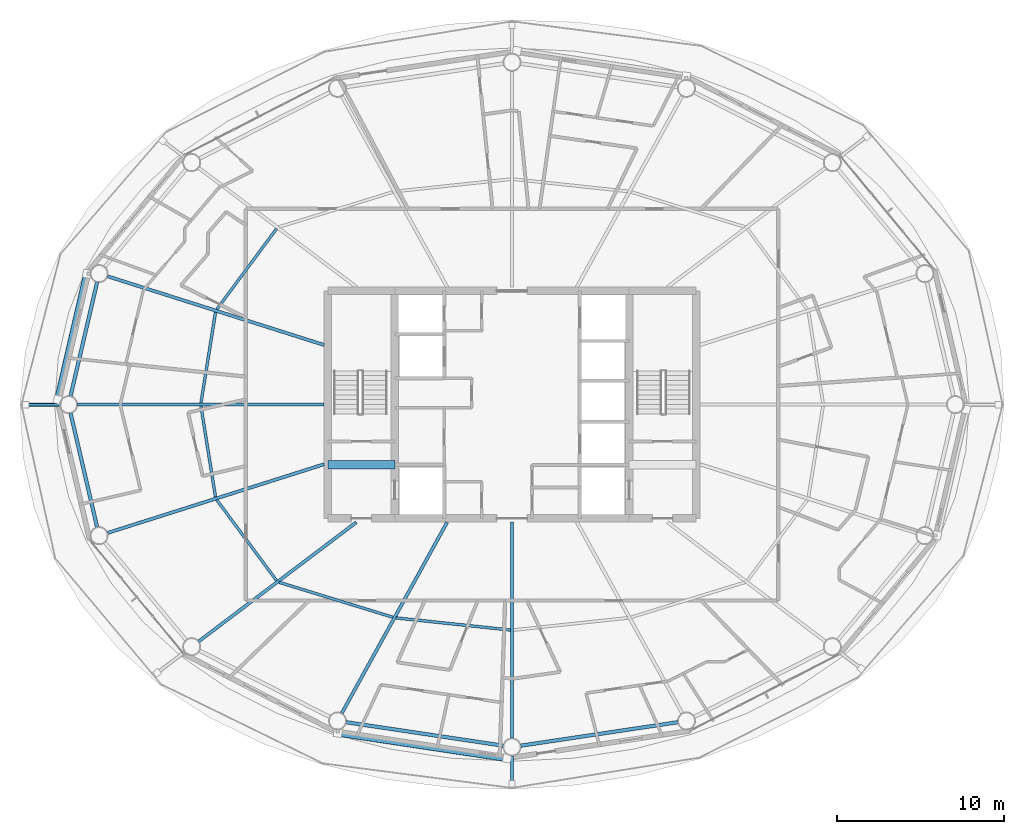
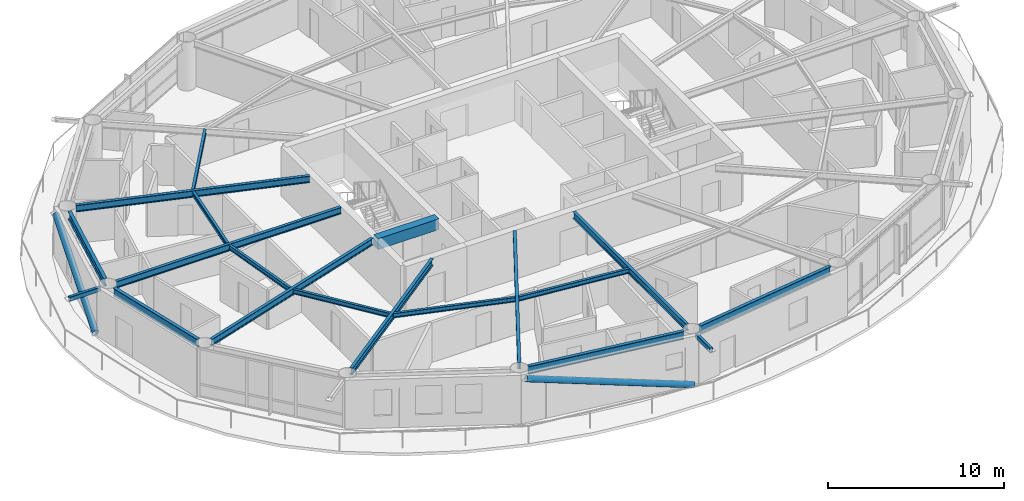
# One storey, part 4 of 27: 17 beams, 4 members.
"""IFC4 building model written with IfcOpenShell, lengths in metres."""

from ifc_helpers import new_model, si_unit, direction, frame, origin, origin_2d, place, context, subcontext, project, spatial, rectangle, hollow_rectangle, hollow_circle, i_section, extrude, material, material_profile, profile_set, type_object, element, save


model = new_model("IFC4")

# Units and contexts
model_context = context("Model", 3, precision=1e-05, world=origin(), true_north=direction((0.0, 1.0)))
body_context = subcontext(model_context, "Body", "Model", "MODEL_VIEW")
ifc_project = project(units=[si_unit("LENGTHUNIT", "METRE"), si_unit("AREAUNIT", "SQUARE_METRE"), si_unit("VOLUMEUNIT", "CUBIC_METRE"), si_unit("PLANEANGLEUNIT", "RADIAN"), si_unit("MASSUNIT", "GRAM", prefix="KILO")], contexts=[model_context])

# Site, building, storey
site_placement = place(None, origin())
site = spatial("IfcSite", under=ifc_project, at=site_placement, CompositionType="ELEMENT")
building_placement = place(site_placement, origin())
building = spatial("IfcBuilding", under=site, at=building_placement, Name="Sarneth Arch Tower", CompositionType="ELEMENT")
storey_placement = place(building_placement, frame((0.0, 0.0, 157.800048828125)))
storey = spatial("IfcBuildingStorey", under=building, at=storey_placement, Name="L39", CompositionType="ELEMENT", Elevation=157.800048828125)

# Beams
ifc_material_1 = material(Name="Steel S355", Category="steel")
ifc_material_profile_1 = material_profile(ifc_material_1, i_section(OverallWidth=0.1669921875, OverallDepth=0.31689453125, WebThickness=0.007568359375, FlangeThickness=0.01318359375, FilletRadius=0.012939453125, at=origin_2d()), Name="W310x52")
ifc_profile_set_1 = profile_set([ifc_material_profile_1], Name="Steel S355")
beam_type_1 = type_object("IfcBeamType", Name="BM-JOIST-310B", PredefinedType="JOIST", material=ifc_profile_set_1)
beam_1_placement = place(storey_placement, frame((33.937255859375, 52.5068359375, 3.221435546875), z_axis=(-0.595933334016, -0.803033910497, 0.0), x_axis=(0.803033910497, -0.595933334016, 0.0)))
element("IfcBeam", 1, at=beam_1_placement, inside=storey, type_object=beam_type_1, Name="L39 Secondary floor joist 07", PredefinedType="JOIST", context=body_context, shape_type="SweptSolid", body=[
    extrude(i_section(OverallWidth=0.1669921875, OverallDepth=0.31689453125, WebThickness=0.007568359375, FlangeThickness=0.01318359375, FilletRadius=0.012939453125, at=origin_2d()), origin(), (0.0, 0.0, 1.0), 5.99560546875),
])
for number, where, z_axis, x_axis, name in (
    (2, (30.291259765625, 47.519287109375, 3.221435546875), (-0.158262632389, -0.987397052451, 0.0), (0.987397052451, -0.158262632389, 0.0), "L39 Secondary floor joist 08"),
    (3, (29.421875, 41.90478515625, 3.221435546875), (0.158262632389, -0.987397052451, 0.0), (0.987397052451, 0.158262632389, 0.0), "L39 Secondary floor joist 09"),
):
    element("IfcBeam", number, at=place(storey_placement, frame(where, z_axis=z_axis, x_axis=x_axis)), inside=storey, type_object=beam_type_1, Name=name, PredefinedType="JOIST", context=body_context, shape_type="SweptSolid", body=[
        extrude(i_section(OverallWidth=0.1669921875, OverallDepth=0.31689453125, WebThickness=0.007568359375, FlangeThickness=0.01318359375, FilletRadius=0.012939453125, at=origin_2d()), origin(), (0.0, 0.0, 1.0), 5.493408203125),
    ])
beam_2_placement = place(storey_placement, frame((30.3642578125, 36.307861328125, 3.221435546875), z_axis=(0.595933334016, -0.803033910497, 0.0), x_axis=(0.803033910497, 0.595933334016, 0.0)))
element("IfcBeam", 4, at=beam_2_placement, inside=storey, type_object=beam_type_1, Name="L39 Secondary floor joist 10", PredefinedType="JOIST", context=body_context, shape_type="SweptSolid", body=[
    extrude(i_section(OverallWidth=0.1669921875, OverallDepth=0.31689453125, WebThickness=0.007568359375, FlangeThickness=0.01318359375, FilletRadius=0.012939453125, at=origin_2d()), origin(), (0.0, 0.0, 1.0), 5.99560546875),
])
beam_3_placement = place(storey_placement, frame((34.087158203125, 31.38720703125, 3.221435546875), z_axis=(0.955929549608, -0.293596144707, 0.0), x_axis=(0.293596144707, 0.955929549608, 0.0)))
element("IfcBeam", 5, at=beam_3_placement, inside=storey, type_object=beam_type_1, Name="L39 Secondary floor joist 11", PredefinedType="JOIST", context=body_context, shape_type="SweptSolid", body=[
    extrude(i_section(OverallWidth=0.1669921875, OverallDepth=0.31689453125, WebThickness=0.007568359375, FlangeThickness=0.01318359375, FilletRadius=0.012939453125, at=origin_2d()), origin(), (0.0, 0.0, 1.0), 7.1123046875),
])
beam_4_placement = place(storey_placement, frame((41.07421875, 29.260498046875, 3.221435546875), z_axis=(0.994407831942, -0.105608066799, 0.0), x_axis=(0.105608066799, 0.994407831942, 0.0)))
element("IfcBeam", 6, at=beam_4_placement, inside=storey, type_object=beam_type_1, Name="L39 Secondary floor joist 12", PredefinedType="JOIST", context=body_context, shape_type="SweptSolid", body=[
    extrude(i_section(OverallWidth=0.1669921875, OverallDepth=0.31689453125, WebThickness=0.007568359375, FlangeThickness=0.01318359375, FilletRadius=0.012939453125, at=origin_2d()), origin(), (0.0, 0.0, 1.0), 6.8681640625),
])
ifc_material_2 = material(Name="Concrete C50/60", Category="concrete")
ifc_material_profile_2 = material_profile(ifc_material_2, rectangle(XDim=0.5, YDim=0.75, at=origin_2d()), Name="RC-500x750")
ifc_profile_set_2 = profile_set([ifc_material_profile_2], Name="Concrete C50/60")
beam_type_2 = type_object("IfcBeamType", Name="BM-LINTEL-RC", PredefinedType="LINTEL", material=ifc_profile_set_2)
beam_5_placement = place(storey_placement, frame((37.0, 38.39990234375, 3.0048828125), z_axis=(1.0, 0.0, 0.0), x_axis=(0.0, 1.0, 0.0)))
element("IfcBeam", 7, at=beam_5_placement, inside=storey, type_object=beam_type_2, Name="L39 Core coupling lintel W", PredefinedType="LINTEL", context=body_context, shape_type="SweptSolid", body=[
    extrude(rectangle(XDim=0.5, YDim=0.75, at=origin_2d()), origin(), (0.0, 0.0, 1.0), 4.0),
])
ifc_material_3 = material(Name="Steel S355", Category="steel")
ifc_material_profile_3 = material_profile(ifc_material_3, i_section(OverallWidth=0.193115234375, OverallDepth=0.466064453125, WebThickness=0.011474609375, FlangeThickness=0.01904296875, FilletRadius=0.01806640625, at=origin_2d()), Name="W460x97")
ifc_profile_set_3 = profile_set([ifc_material_profile_3], Name="Steel S355")
beam_type_3 = type_object("IfcBeamType", Name="BM-RAD-460C", PredefinedType="BEAM", material=ifc_profile_set_3)
beam_6_placement = place(storey_placement, frame((36.77490234375, 45.56201171875, 3.14697265625), z_axis=(-0.953163620049, 0.302455142815, 0.0), x_axis=(-0.302455142815, -0.953163620049, 0.0)))
element("IfcBeam", 8, at=beam_6_placement, inside=storey, type_object=beam_type_3, Name="L39 Radial floor girder 08", PredefinedType="BEAM", context=body_context, shape_type="SweptSolid", body=[
    extrude(i_section(OverallWidth=0.193115234375, OverallDepth=0.466064453125, WebThickness=0.011474609375, FlangeThickness=0.01904296875, FilletRadius=0.01806640625, at=origin_2d()), origin(), (0.0, 0.0, 1.0), 13.572265625),
])
beam_7_placement = place(storey_placement, frame((36.77490234375, 42.0, 3.14697265625), z_axis=(-1.0, 0.0, 0.0), x_axis=(0.0, -1.0, 0.0)))
element("IfcBeam", 9, at=beam_7_placement, inside=storey, type_object=beam_type_3, Name="L39 Radial floor girder 09", PredefinedType="BEAM", context=body_context, shape_type="SweptSolid", body=[
    extrude(i_section(OverallWidth=0.193115234375, OverallDepth=0.466064453125, WebThickness=0.011474609375, FlangeThickness=0.01904296875, FilletRadius=0.01806640625, at=origin_2d()), origin(), (0.0, 0.0, 1.0), 14.73681640625),
])
beam_8_placement = place(storey_placement, frame((36.77490234375, 38.43798828125, 3.14697265625), z_axis=(-0.953163620049, -0.302455142815, 0.0), x_axis=(0.302455142815, -0.953163620049, 0.0)))
element("IfcBeam", 10, at=beam_8_placement, inside=storey, type_object=beam_type_3, Name="L39 Radial floor girder 10", PredefinedType="BEAM", context=body_context, shape_type="SweptSolid", body=[
    extrude(i_section(OverallWidth=0.193115234375, OverallDepth=0.466064453125, WebThickness=0.011474609375, FlangeThickness=0.01904296875, FilletRadius=0.01806640625, at=origin_2d()), origin(), (0.0, 0.0, 1.0), 13.572265625),
])
beam_9_placement = place(storey_placement, frame((38.70458984375, 34.97509765625, 3.14697265625), z_axis=(-0.797786205076, -0.602940437349, 0.0), x_axis=(0.602940437349, -0.797786205076, 0.0)))
element("IfcBeam", 11, at=beam_9_placement, inside=storey, type_object=beam_type_3, Name="L39 Radial floor girder 11", PredefinedType="BEAM", context=body_context, shape_type="SweptSolid", body=[
    extrude(i_section(OverallWidth=0.193115234375, OverallDepth=0.466064453125, WebThickness=0.011474609375, FlangeThickness=0.01904296875, FilletRadius=0.01806640625, at=origin_2d()), origin(), (0.0, 0.0, 1.0), 11.806884765625),
])
beam_10_placement = place(storey_placement, frame((44.125, 34.97509765625, 3.14697265625), z_axis=(-0.483004525121, -0.87561785541, 0.0), x_axis=(0.87561785541, -0.483004525121, 0.0)))
element("IfcBeam", 12, at=beam_10_placement, inside=storey, type_object=beam_type_3, Name="L39 Radial floor girder 12", PredefinedType="BEAM", context=body_context, shape_type="SweptSolid", body=[
    extrude(i_section(OverallWidth=0.193115234375, OverallDepth=0.466064453125, WebThickness=0.011474609375, FlangeThickness=0.01904296875, FilletRadius=0.01806640625, at=origin_2d()), origin(), (0.0, 0.0, 1.0), 13.029296875),
])
beam_11_placement = place(storey_placement, frame((48.0, 34.97509765625, 3.14697265625), z_axis=(0.0, -1.0, 0.0), x_axis=(1.0, 0.0, 0.0)))
element("IfcBeam", 13, at=beam_11_placement, inside=storey, type_object=beam_type_3, Name="L39 Radial floor girder 13", PredefinedType="BEAM", context=body_context, shape_type="SweptSolid", body=[
    extrude(i_section(OverallWidth=0.193115234375, OverallDepth=0.466064453125, WebThickness=0.011474609375, FlangeThickness=0.01904296875, FilletRadius=0.01806640625, at=origin_2d()), origin(), (0.0, 0.0, 1.0), 12.900146484375),
])
ifc_material_4 = material(Name="Steel S355", Category="steel")
ifc_material_profile_4 = material_profile(ifc_material_4, i_section(OverallWidth=0.214111328125, OverallDepth=0.549072265625, WebThickness=0.0146484375, FlangeThickness=0.023681640625, FilletRadius=0.01806640625, at=origin_2d()), Name="W530x138")
ifc_profile_set_4 = profile_set([ifc_material_profile_4], Name="Steel S355")
beam_type_4 = type_object("IfcBeamType", Name="BM-RAD-530A", PredefinedType="BEAM", material=ifc_profile_set_4)
for number, where, z_axis, x_axis, name in (
    (14, (23.21875, 49.314697265625, 3.10546875), (-0.22708709918, -0.973874452579, 0.0), (0.973874452579, -0.22708709918, 0.0), "L39 Perimeter spandrel beam 08"),
    (15, (21.63232421875, 41.48876953125, 3.10546875), (0.22708709918, -0.973874452579, 0.0), (0.973874452579, 0.22708709918, 0.0), "L39 Perimeter spandrel beam 09"),
):
    element("IfcBeam", number, at=place(storey_placement, frame(where, z_axis=z_axis, x_axis=x_axis)), inside=storey, type_object=beam_type_4, Name=name, PredefinedType="BEAM", context=body_context, shape_type="SweptSolid", body=[
        extrude(i_section(OverallWidth=0.214111328125, OverallDepth=0.549072265625, WebThickness=0.0146484375, FlangeThickness=0.023681640625, FilletRadius=0.01806640625, at=origin_2d()), origin(), (0.0, 0.0, 1.0), 6.986083984375),
    ])
for number, where, z_axis, x_axis, name in (
    (16, (38.097412109375, 23.029052734375, 3.10546875), (0.989027145133, -0.14773390332, 0.0), (0.14773390332, 0.989027145133, 0.0), "L39 Perimeter spandrel beam 12"),
    (17, (48.519287109375, 21.62744140625, 3.10546875), (0.989027145133, 0.14773390332, 0.0), (-0.14773390332, 0.989027145133, 0.0), "L39 Perimeter spandrel beam 13"),
):
    element("IfcBeam", number, at=place(storey_placement, frame(where, z_axis=z_axis, x_axis=x_axis)), inside=storey, type_object=beam_type_4, Name=name, PredefinedType="BEAM", context=body_context, shape_type="SweptSolid", body=[
        extrude(i_section(OverallWidth=0.214111328125, OverallDepth=0.549072265625, WebThickness=0.0146484375, FlangeThickness=0.023681640625, FilletRadius=0.01806640625, at=origin_2d()), origin(), (0.0, 0.0, 1.0), 9.4873046875),
    ])

# Members
ifc_material_5 = material(Name="Steel S355", Category="steel")
ifc_material_profile_5 = material_profile(ifc_material_5, hollow_rectangle(XDim=0.199951171875, YDim=0.300048828125, WallThickness=0.012451171875, InnerFilletRadius=0.018798828125, OuterFilletRadius=0.03125, at=origin_2d()), Name="RHS300x200x12.5")
ifc_profile_set_5 = profile_set([ifc_material_profile_5], Name="Steel S355")
member_type_1 = type_object("IfcMemberType", Name="MEM-CANT-STRUT", PredefinedType="STRUT", material=ifc_profile_set_5)
member_1_placement = place(storey_placement, frame((20.988037109375, 42.0, 3.219970703125), z_axis=(-1.0, 0.0, 0.0), x_axis=(0.0, -1.0, 0.0)))
element("IfcMember", 18, at=member_1_placement, inside=storey, type_object=member_type_1, Name="L39 Balcony cantilever bracket 09", PredefinedType="STRUT", context=body_context, shape_type="SweptSolid", body=[
    extrude(hollow_rectangle(XDim=0.199951171875, YDim=0.300048828125, WallThickness=0.012451171875, InnerFilletRadius=0.018798828125, OuterFilletRadius=0.03125, at=origin_2d()), origin(), (0.0, 0.0, 1.0), 2.02685546875),
])
member_2_placement = place(storey_placement, frame((48.0, 21.02490234375, 3.219970703125), z_axis=(0.0, -1.0, 0.0), x_axis=(1.0, 0.0, 0.0)))
element("IfcMember", 19, at=member_2_placement, inside=storey, type_object=member_type_1, Name="L39 Balcony cantilever bracket 13", PredefinedType="STRUT", context=body_context, shape_type="SweptSolid", body=[
    extrude(hollow_rectangle(XDim=0.199951171875, YDim=0.300048828125, WallThickness=0.012451171875, InnerFilletRadius=0.018798828125, OuterFilletRadius=0.03125, at=origin_2d()), origin(), (0.0, 0.0, 1.0), 1.673095703125),
])
ifc_material_6 = material(Name="Steel S355", Category="steel")
ifc_material_profile_6 = material_profile(ifc_material_6, hollow_circle(Radius=0.202880859375, WallThickness=0.01611328125, at=origin_2d()), Name="CHS406x16")
ifc_profile_set_6 = profile_set([ifc_material_profile_6], Name="Steel S355")
member_type_2 = type_object("IfcMemberType", Name="MEM-DIAG-BR2", PredefinedType="BRACE", material=ifc_profile_set_6)
member_3_placement = place(storey_placement, frame((20.87109375, 42.292236328125, 0.02001953125), z_axis=(0.209646277215, 0.90691666474, 0.365445757488), x_axis=(-0.974306903917, 0.225224459107, 0.0)))
element("IfcMember", 20, at=member_3_placement, inside=storey, type_object=member_type_2, Name="L39 Perimeter frame diagonal 08", PredefinedType="BRACE", context=body_context, shape_type="SweptSolid", body=[
    extrude(hollow_circle(Radius=0.202880859375, WallThickness=0.01611328125, at=origin_2d()), origin(), (0.0, 0.0, 1.0), 8.292724609375),
])
member_4_placement = place(storey_placement, frame((47.703369140625, 20.86474609375, 0.02001953125), z_axis=(-0.948052912183, 0.142822782379, 0.284248708942), x_axis=(-0.148967610144, -0.988842075929, 0.0)))
element("IfcMember", 21, at=member_4_placement, inside=storey, type_object=member_type_2, Name="L39 Perimeter frame diagonal 12", PredefinedType="BRACE", context=body_context, shape_type="SweptSolid", body=[
    extrude(hollow_circle(Radius=0.202880859375, WallThickness=0.01611328125, at=origin_2d()), origin(), (0.0, 0.0, 1.0), 10.66162109375),
])

save(model, "model.ifc")
